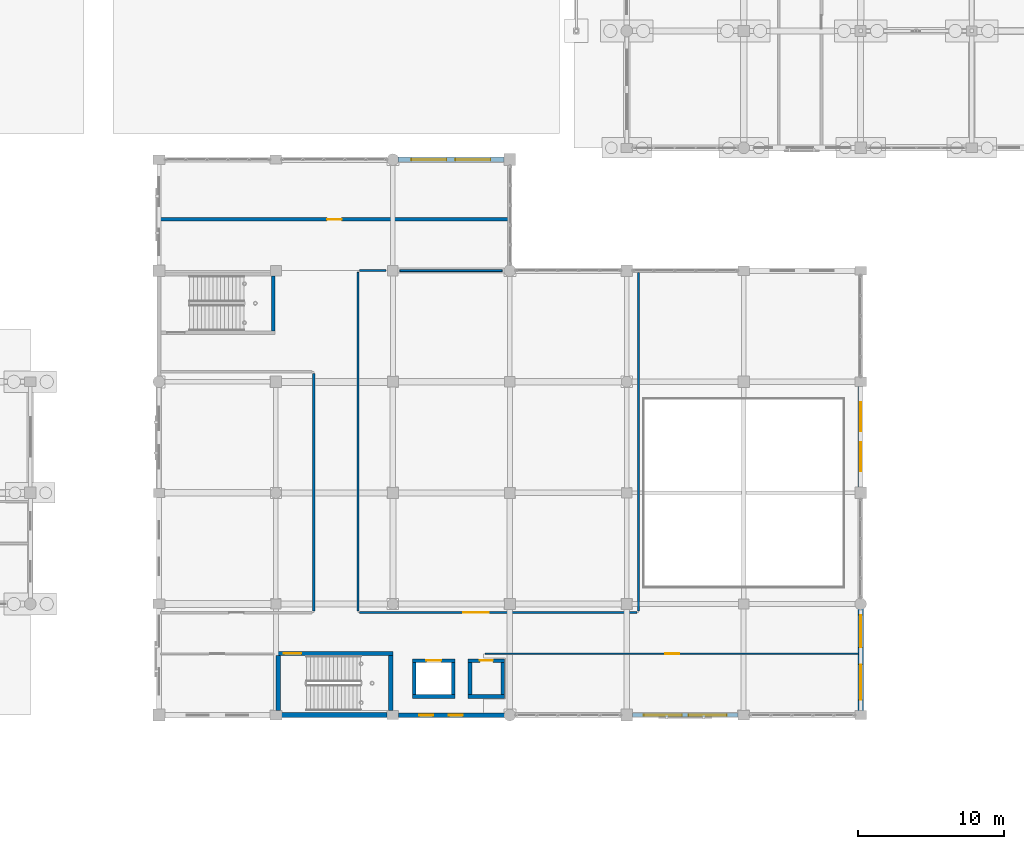
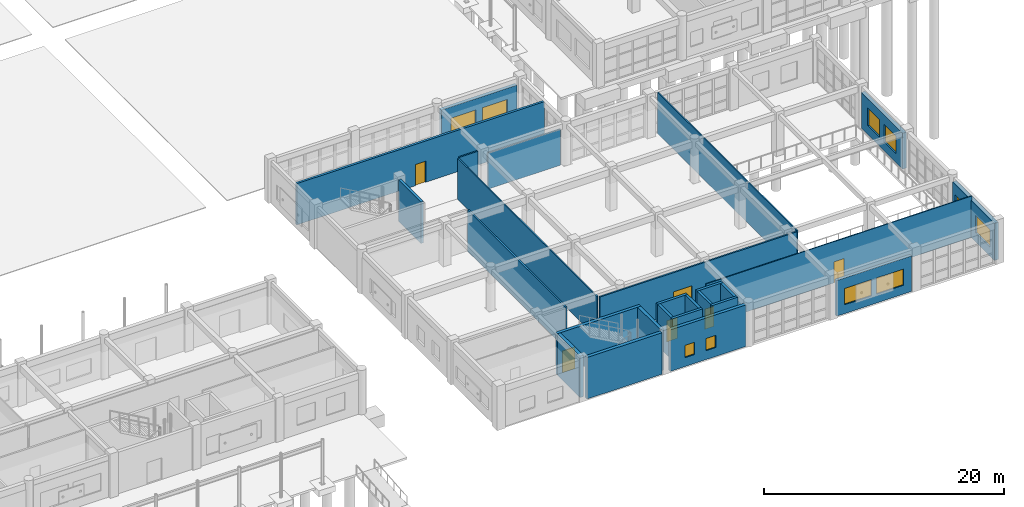
# One storey, part 138 of 166: 26 walls, 10 windows, 6 doors, 16 openings.
"""IFC4 building model written with IfcOpenShell, lengths in metres."""

from ifc_helpers import new_model, si_unit, direction, frame, frame_2d, origin, place, context, subcontext, project, spatial, rectangle, extrude, material, layer, layer_set, type_object, element, fill, save


model = new_model("IFC4")

# Units and contexts
model_context = context("Model", 3, precision=1e-05, world=origin(), true_north=direction((0.0, 1.0)))
body_context = subcontext(model_context, "Body", "Model", "MODEL_VIEW")
ifc_project = project(units=[si_unit("LENGTHUNIT", "METRE"), si_unit("AREAUNIT", "SQUARE_METRE"), si_unit("VOLUMEUNIT", "CUBIC_METRE"), si_unit("PLANEANGLEUNIT", "RADIAN"), si_unit("MASSUNIT", "GRAM", prefix="KILO")], contexts=[model_context])

# Site, building, storey
site_placement = place(None, origin())
site = spatial("IfcSite", under=ifc_project, at=site_placement, CompositionType="ELEMENT")
building_placement = place(site_placement, origin())
building = spatial("IfcBuilding", under=site, at=building_placement, Name="Kharva Crest Polytechnic", CompositionType="ELEMENT")
storey_placement = place(building_placement, origin())
storey = spatial("IfcBuildingStorey", under=building, at=storey_placement, Name="L00", CompositionType="ELEMENT", Elevation=0.0)

# Wall, opening, door
ifc_material_1 = material(Name="Concrete C40/50", Category="concrete")
ifc_layer_1 = layer(ifc_material_1, 0.300048828125, Name="Concrete C40/50")
ifc_layer_set_1 = layer_set([ifc_layer_1], Name="Concrete C40/50")
wall_type_1 = type_object("IfcWallType", Name="WL-CORE-CW2-300", PredefinedType="SHEAR", material=ifc_layer_set_1)
wall_1_placement = place(storey_placement, frame((128.800048828125, 4.2099609375, 0.0), z_axis=(0.0, 0.0, 1.0), x_axis=(1.0, 0.0, 0.0)))
wall_1 = element("IfcWall", 1, at=wall_1_placement, inside=storey, type_object=wall_type_1, Name="L00 South-East Refectory Escarpment Core C6 North Shear Wall", PredefinedType="SHEAR", context=body_context, shape_type="SweptSolid", body=[
    extrude(rectangle(XDim=8.0, YDim=0.300048828125, at=frame_2d((4.0, 0.0))), origin(), (0.0, 0.0, 1.0), 4.219970703125),
])
opening_1_placement = place(wall_1_placement, frame((0.550048828125, 0.0, 0.0)))
opening_1 = element("IfcOpeningElement", 2, at=opening_1_placement, cuts=wall_1, Name="Opening FD1", PredefinedType="OPENING", context=body_context, shape_type="SweptSolid", body=[
    extrude(rectangle(XDim=1.199951171875, YDim=2.199951171875, at=frame_2d((0.60009765625, 1.10009765625))), frame((0.0, 0.159912109375, 0.0), z_axis=(0.0, -1.0, 0.0), x_axis=(1.0, 0.0, 0.0)), (0.0, 0.0, 1.0), 0.320068359375),
])
ifc_material_2 = material(Name="Teak timber", Category="wood")
door_type_1 = type_object("IfcDoorType", Name="DR-STAIR-1200X2200", OperationType="NOTDEFINED", PredefinedType="DOOR", material=ifc_material_2)
door_1_placement = place(opening_1_placement, origin())
door_1 = element("IfcDoor", 3, at=door_1_placement, inside=storey, type_object=door_type_1, Name="L00 ST-06 Stair Door", OperationType="SINGLE_SWING_LEFT", OverallHeight=2.199951171875, OverallWidth=1.199951171875, PredefinedType="DOOR", context=body_context, shape_type="SweptSolid", body=[
    extrude(rectangle(XDim=1.199951171875, YDim=2.199951171875, at=frame_2d((0.60009765625, 1.10009765625))), frame((0.0, 0.02490234375, 0.0), z_axis=(0.0, -1.0, 0.0), x_axis=(1.0, 0.0, 0.0)), (0.0, 0.0, 1.0), 0.050048828125),
])
fill(opening_1, door_1)

# Walls
for number, where, z_axis, x_axis, name in (
    (4, (128.949951171875, 0.300048828125, 0.0), (0.0, 0.0, 1.0), (0.0, 1.0, 0.0), "L00 South-East Refectory Escarpment Core C6 West Shear Wall"),
    (5, (136.64990234375, 0.300048828125, 0.0), (0.0, 0.0, 1.0), (0.0, 1.0, 0.0), "L00 South-East Refectory Escarpment Core C6 East Shear Wall"),
):
    element("IfcWall", number, at=place(storey_placement, frame(where, z_axis=z_axis, x_axis=x_axis)), inside=storey, type_object=wall_type_1, Name=name, PredefinedType="SHEAR", context=body_context, shape_type="SweptSolid", body=[
        extrude(rectangle(XDim=3.760009765625, YDim=0.300048828125, at=frame_2d((1.8798828125, 0.0))), origin(), (0.0, 0.0, 1.0), 4.219970703125),
    ])

# Wall, openings, windows
ifc_material_3 = material(Name="Kiln brick masonry", Category="masonry")
ifc_layer_2 = layer(ifc_material_3, 0.27490234375, Name="Kiln brick masonry")
ifc_layer_set_2 = layer_set([ifc_layer_2], Name="Kiln brick masonry")
wall_type_2 = type_object("IfcWallType", Name="WL-EXT-BRK-275", PredefinedType="SOLIDWALL", material=ifc_layer_set_2)
wall_2_placement = place(storey_placement, frame((153.195068359375, 0.0, 0.0), z_axis=(0.0, 0.0, 1.0), x_axis=(1.0, 0.0, 0.0)))
wall_2 = element("IfcWall", 6, at=wall_2_placement, inside=storey, type_object=wall_type_2, Name="L00 Exterior Brick Wall 55", PredefinedType="SOLIDWALL", context=body_context, shape_type="SweptSolid", body=[
    extrude(rectangle(XDim=7.2099609375, YDim=0.27490234375, at=frame_2d((3.60498046875, 0.0))), origin(), (0.0, 0.0, 1.0), 3.6201171875),
])
opening_2_placement = place(wall_2_placement, frame((0.777099609375, 0.0, 0.89990234375)))
opening_2 = element("IfcOpeningElement", 7, at=opening_2_placement, cuts=wall_2, Name="Opening W24", PredefinedType="OPENING", context=body_context, shape_type="SweptSolid", body=[
    extrude(rectangle(XDim=2.60009765625, YDim=1.64990234375, at=frame_2d((1.300048828125, 0.824951171875))), frame((0.0, 0.1474609375, 0.0), z_axis=(0.0, -1.0, 0.0), x_axis=(1.0, 0.0, 0.0)), (0.0, 0.0, 1.0), 0.294921875),
])
opening_3_placement = place(wall_2_placement, frame((3.8330078125, 0.0, 0.89990234375)))
opening_3 = element("IfcOpeningElement", 8, at=opening_3_placement, cuts=wall_2, Name="Opening W24", PredefinedType="OPENING", context=body_context, shape_type="SweptSolid", body=[
    extrude(rectangle(XDim=2.60009765625, YDim=1.64990234375, at=frame_2d((1.300048828125, 0.824951171875))), frame((0.0, 0.1474609375, 0.0), z_axis=(0.0, -1.0, 0.0), x_axis=(1.0, 0.0, 0.0)), (0.0, 0.0, 1.0), 0.294921875),
])
ifc_material_4 = material(Name="Anodised aluminium", Category="aluminium")
window_type_1 = type_object("IfcWindowType", Name="WIN-ALU-2600X1650", PartitioningType="SINGLE_PANEL", PredefinedType="WINDOW", material=ifc_material_4)
window_1_placement = place(opening_2_placement, origin())
window_1 = element("IfcWindow", 9, at=window_1_placement, inside=storey, type_object=window_type_1, Name="L00 Exterior Window 71", OverallHeight=1.64990234375, OverallWidth=2.60009765625, PartitioningType="SINGLE_PANEL", PredefinedType="WINDOW", context=body_context, shape_type="SweptSolid", body=[
    extrude(rectangle(XDim=2.60009765625, YDim=1.64990234375, at=frame_2d((1.300048828125, 0.824951171875))), frame((0.0, 0.030029296875, 0.0), z_axis=(0.0, -1.0, 0.0), x_axis=(1.0, 0.0, 0.0)), (0.0, 0.0, 1.0), 0.06005859375),
])
fill(opening_2, window_1)
window_2_placement = place(opening_3_placement, origin())
window_2 = element("IfcWindow", 10, at=window_2_placement, inside=storey, type_object=window_type_1, Name="L00 Exterior Window 72", OverallHeight=1.64990234375, OverallWidth=2.60009765625, PartitioningType="SINGLE_PANEL", PredefinedType="WINDOW", context=body_context, shape_type="SweptSolid", body=[
    extrude(rectangle(XDim=2.60009765625, YDim=1.64990234375, at=frame_2d((1.300048828125, 0.824951171875))), frame((0.0, 0.030029296875, 0.0), z_axis=(0.0, -1.0, 0.0), x_axis=(1.0, 0.0, 0.0)), (0.0, 0.0, 1.0), 0.06005859375),
])
fill(opening_3, window_2)

ifc_layer_3 = layer(ifc_material_3, 0.304931640625, Name="Kiln brick masonry")
ifc_layer_set_3 = layer_set([ifc_layer_3], Name="Kiln brick masonry")
wall_type_3 = type_object("IfcWallType", Name="WL-EXT-BRK-305", PredefinedType="SOLIDWALL", material=ifc_layer_set_3)
wall_3_placement = place(storey_placement, frame((137.18505859375, 0.0, 0.0), z_axis=(0.0, 0.0, 1.0), x_axis=(1.0, 0.0, 0.0)))
wall_3 = element("IfcWall", 11, at=wall_3_placement, inside=storey, type_object=wall_type_3, Name="L00 Exterior Brick Wall 54", PredefinedType="SOLIDWALL", context=body_context, shape_type="SweptSolid", body=[
    extrude(rectangle(XDim=7.279052734375, YDim=0.304931640625, at=frame_2d((3.6396484375, 0.0))), origin(), (0.0, 0.0, 1.0), 4.219970703125),
])
opening_4_placement = place(wall_3_placement, frame((1.412109375, 0.0, 0.89990234375)))
opening_4 = element("IfcOpeningElement", 12, at=opening_4_placement, cuts=wall_3, Name="Opening W22", PredefinedType="OPENING", context=body_context, shape_type="SweptSolid", body=[
    extrude(rectangle(XDim=0.949951171875, YDim=1.25, at=frame_2d((0.47509765625, 0.625))), frame((0.0, 0.162353515625, 0.0), z_axis=(0.0, -1.0, 0.0), x_axis=(1.0, 0.0, 0.0)), (0.0, 0.0, 1.0), 0.324951171875),
])
opening_5_placement = place(wall_3_placement, frame((3.452880859375, 0.0, 0.89990234375)))
opening_5 = element("IfcOpeningElement", 13, at=opening_5_placement, cuts=wall_3, Name="Opening W22", PredefinedType="OPENING", context=body_context, shape_type="SweptSolid", body=[
    extrude(rectangle(XDim=0.949951171875, YDim=1.25, at=frame_2d((0.47509765625, 0.625))), frame((0.0, 0.162353515625, 0.0), z_axis=(0.0, -1.0, 0.0), x_axis=(1.0, 0.0, 0.0)), (0.0, 0.0, 1.0), 0.324951171875),
])
window_type_2 = type_object("IfcWindowType", Name="WIN-ALU-950X1250", PartitioningType="SINGLE_PANEL", PredefinedType="WINDOW", material=ifc_material_4)
window_3_placement = place(opening_4_placement, origin())
window_3 = element("IfcWindow", 14, at=window_3_placement, inside=storey, type_object=window_type_2, Name="L00 Exterior Window 69", OverallHeight=1.25, OverallWidth=0.949951171875, PartitioningType="SINGLE_PANEL", PredefinedType="WINDOW", context=body_context, shape_type="SweptSolid", body=[
    extrude(rectangle(XDim=0.949951171875, YDim=1.25, at=frame_2d((0.47509765625, 0.625))), frame((0.0, 0.030029296875, 0.0), z_axis=(0.0, -1.0, 0.0), x_axis=(1.0, 0.0, 0.0)), (0.0, 0.0, 1.0), 0.06005859375),
])
fill(opening_4, window_3)
window_4_placement = place(opening_5_placement, origin())
window_4 = element("IfcWindow", 15, at=window_4_placement, inside=storey, type_object=window_type_2, Name="L00 Exterior Window 70", OverallHeight=1.25, OverallWidth=0.949951171875, PartitioningType="SINGLE_PANEL", PredefinedType="WINDOW", context=body_context, shape_type="SweptSolid", body=[
    extrude(rectangle(XDim=0.949951171875, YDim=1.25, at=frame_2d((0.47509765625, 0.625))), frame((0.0, 0.030029296875, 0.0), z_axis=(0.0, -1.0, 0.0), x_axis=(1.0, 0.0, 0.0)), (0.0, 0.0, 1.0), 0.06005859375),
])
fill(opening_5, window_4)

ifc_layer_4 = layer(ifc_material_3, 0.320068359375, Name="Kiln brick masonry")
ifc_layer_set_4 = layer_set([ifc_layer_4], Name="Kiln brick masonry")
wall_type_4 = type_object("IfcWallType", Name="WL-EXT-BRK-320", PredefinedType="SOLIDWALL", material=ifc_layer_set_4)
wall_4_placement = place(storey_placement, frame((144.405029296875, 38.0, 0.0), z_axis=(0.0, 0.0, 1.0), x_axis=(-1.0, 0.0, 0.0)))
wall_4 = element("IfcWall", 16, at=wall_4_placement, inside=storey, type_object=wall_type_4, Name="L00 Exterior Brick Wall 46", PredefinedType="SOLIDWALL", context=body_context, shape_type="SweptSolid", body=[
    extrude(rectangle(XDim=7.26904296875, YDim=0.320068359375, at=frame_2d((3.634521484375, 0.0))), origin(), (0.0, 0.0, 1.0), 3.5400390625),
])
opening_6_placement = place(wall_4_placement, frame((0.929931640625, 0.0, 0.89990234375)))
opening_6 = element("IfcOpeningElement", 17, at=opening_6_placement, cuts=wall_4, Name="Opening W10", PredefinedType="OPENING", context=body_context, shape_type="SweptSolid", body=[
    extrude(rectangle(XDim=2.39990234375, YDim=1.5, at=frame_2d((1.199951171875, 0.75))), frame((0.0, 0.169921875, 0.0), z_axis=(0.0, -1.0, 0.0), x_axis=(1.0, 0.0, 0.0)), (0.0, 0.0, 1.0), 0.340087890625),
])
opening_7_placement = place(wall_4_placement, frame((3.93896484375, 0.0, 0.89990234375)))
opening_7 = element("IfcOpeningElement", 18, at=opening_7_placement, cuts=wall_4, Name="Opening W10", PredefinedType="OPENING", context=body_context, shape_type="SweptSolid", body=[
    extrude(rectangle(XDim=2.39990234375, YDim=1.5, at=frame_2d((1.199951171875, 0.75))), frame((0.0, 0.169921875, 0.0), z_axis=(0.0, -1.0, 0.0), x_axis=(1.0, 0.0, 0.0)), (0.0, 0.0, 1.0), 0.340087890625),
])
window_type_3 = type_object("IfcWindowType", Name="WIN-ALU-2400X1500", PartitioningType="SINGLE_PANEL", PredefinedType="WINDOW", material=ifc_material_4)
window_5_placement = place(opening_6_placement, origin())
window_5 = element("IfcWindow", 19, at=window_5_placement, inside=storey, type_object=window_type_3, Name="L00 Exterior Window 57", OverallHeight=1.5, OverallWidth=2.39990234375, PartitioningType="SINGLE_PANEL", PredefinedType="WINDOW", context=body_context, shape_type="SweptSolid", body=[
    extrude(rectangle(XDim=2.39990234375, YDim=1.5, at=frame_2d((1.199951171875, 0.75))), frame((0.0, 0.030029296875, 0.0), z_axis=(0.0, -1.0, 0.0), x_axis=(1.0, 0.0, 0.0)), (0.0, 0.0, 1.0), 0.06005859375),
])
fill(opening_6, window_5)
window_6_placement = place(opening_7_placement, origin())
window_6 = element("IfcWindow", 20, at=window_6_placement, inside=storey, type_object=window_type_3, Name="L00 Exterior Window 58", OverallHeight=1.5, OverallWidth=2.39990234375, PartitioningType="SINGLE_PANEL", PredefinedType="WINDOW", context=body_context, shape_type="SweptSolid", body=[
    extrude(rectangle(XDim=2.39990234375, YDim=1.5, at=frame_2d((1.199951171875, 0.75))), frame((0.0, 0.030029296875, 0.0), z_axis=(0.0, -1.0, 0.0), x_axis=(1.0, 0.0, 0.0)), (0.0, 0.0, 1.0), 0.06005859375),
])
fill(opening_7, window_6)

# Wall
wall_5_placement = place(storey_placement, frame((129.195068359375, 0.0, 0.0), z_axis=(0.0, 0.0, 1.0), x_axis=(1.0, 0.0, 0.0)))
element("IfcWall", 21, at=wall_5_placement, inside=storey, type_object=wall_type_4, Name="L00 Exterior Brick Wall 53", PredefinedType="SOLIDWALL", context=body_context, shape_type="SweptSolid", body=[
    extrude(rectangle(XDim=7.219970703125, YDim=0.320068359375, at=frame_2d((3.60986328125, 0.0))), origin(), (0.0, 0.0, 1.0), 4.219970703125),
])

# Wall, openings, windows
ifc_layer_5 = layer(ifc_material_3, 0.35009765625, Name="Kiln brick masonry")
ifc_layer_set_5 = layer_set([ifc_layer_5], Name="Kiln brick masonry")
wall_type_5 = type_object("IfcWallType", Name="WL-EXT-BRK-350", PredefinedType="SOLIDWALL", material=ifc_layer_set_5)
wall_6_placement = place(storey_placement, frame((168.800048828125, 15.594970703125, 0.0), z_axis=(0.0, 0.0, 1.0), x_axis=(0.0, 1.0, 0.0)))
wall_6 = element("IfcWall", 22, at=wall_6_placement, inside=storey, type_object=wall_type_5, Name="L00 Exterior Brick Wall 57", PredefinedType="SOLIDWALL", context=body_context, shape_type="SweptSolid", body=[
    extrude(rectangle(XDim=6.885009765625, YDim=0.35009765625, at=frame_2d((3.4423828125, 0.0))), origin(), (0.0, 0.0, 1.0), 3.639892578125),
])
opening_8_placement = place(wall_6_placement, frame((1.068115234375, 0.0, 0.89990234375)))
opening_8 = element("IfcOpeningElement", 23, at=opening_8_placement, cuts=wall_6, Name="Opening W04", PredefinedType="OPENING", context=body_context, shape_type="SweptSolid", body=[
    extrude(rectangle(XDim=2.0, YDim=1.800048828125, at=frame_2d((1.0, 0.89990234375))), frame((0.0, 0.18505859375, 0.0), z_axis=(0.0, -1.0, 0.0), x_axis=(1.0, 0.0, 0.0)), (0.0, 0.0, 1.0), 0.3701171875),
])
opening_9_placement = place(wall_6_placement, frame((3.81689453125, 0.0, 0.89990234375)))
opening_9 = element("IfcOpeningElement", 24, at=opening_9_placement, cuts=wall_6, Name="Opening W04", PredefinedType="OPENING", context=body_context, shape_type="SweptSolid", body=[
    extrude(rectangle(XDim=2.0, YDim=1.800048828125, at=frame_2d((1.0, 0.89990234375))), frame((0.0, 0.18505859375, 0.0), z_axis=(0.0, -1.0, 0.0), x_axis=(1.0, 0.0, 0.0)), (0.0, 0.0, 1.0), 0.3701171875),
])
window_type_4 = type_object("IfcWindowType", Name="WIN-ALU-2000X1800", PartitioningType="SINGLE_PANEL", PredefinedType="WINDOW", material=ifc_material_4)
window_7_placement = place(opening_8_placement, origin())
window_7 = element("IfcWindow", 25, at=window_7_placement, inside=storey, type_object=window_type_4, Name="L00 Exterior Window 75", OverallHeight=1.800048828125, OverallWidth=2.0, PartitioningType="SINGLE_PANEL", PredefinedType="WINDOW", context=body_context, shape_type="SweptSolid", body=[
    extrude(rectangle(XDim=2.0, YDim=1.800048828125, at=frame_2d((1.0, 0.89990234375))), frame((0.0, 0.030029296875, 0.0), z_axis=(0.0, -1.0, 0.0), x_axis=(1.0, 0.0, 0.0)), (0.0, 0.0, 1.0), 0.06005859375),
])
fill(opening_8, window_7)
window_8_placement = place(opening_9_placement, origin())
window_8 = element("IfcWindow", 26, at=window_8_placement, inside=storey, type_object=window_type_4, Name="L00 Exterior Window 76", OverallHeight=1.800048828125, OverallWidth=2.0, PartitioningType="SINGLE_PANEL", PredefinedType="WINDOW", context=body_context, shape_type="SweptSolid", body=[
    extrude(rectangle(XDim=2.0, YDim=1.800048828125, at=frame_2d((1.0, 0.89990234375))), frame((0.0, 0.030029296875, 0.0), z_axis=(0.0, -1.0, 0.0), x_axis=(1.0, 0.0, 0.0)), (0.0, 0.0, 1.0), 0.06005859375),
])
fill(opening_9, window_8)

ifc_layer_6 = layer(ifc_material_3, 0.3798828125, Name="Kiln brick masonry")
ifc_layer_set_6 = layer_set([ifc_layer_6], Name="Kiln brick masonry")
wall_type_6 = type_object("IfcWallType", Name="WL-EXT-BRK-380", PredefinedType="SOLIDWALL", material=ifc_layer_set_6)
wall_7_placement = place(storey_placement, frame((168.800048828125, 0.294921875, 0.0), z_axis=(0.0, 0.0, 1.0), x_axis=(0.0, 1.0, 0.0)))
wall_7 = element("IfcWall", 27, at=wall_7_placement, inside=storey, type_object=wall_type_6, Name="L00 Exterior Brick Wall 56", PredefinedType="SOLIDWALL", context=body_context, shape_type="SweptSolid", body=[
    extrude(rectangle(XDim=6.968994140625, YDim=0.3798828125, at=frame_2d((3.484375, 0.0))), origin(), (0.0, 0.0, 1.0), 3.780029296875),
])
opening_10_placement = place(wall_7_placement, frame((0.7529296875, 0.0, 0.89990234375)))
opening_10 = element("IfcOpeningElement", 28, at=opening_10_placement, cuts=wall_7, Name="Opening W02", PredefinedType="OPENING", context=body_context, shape_type="SweptSolid", body=[
    extrude(rectangle(XDim=2.39990234375, YDim=1.800048828125, at=frame_2d((1.199951171875, 0.89990234375))), frame((0.0, 0.199951171875, 0.0), z_axis=(0.0, -1.0, 0.0), x_axis=(1.0, 0.0, 0.0)), (0.0, 0.0, 1.0), 0.39990234375),
])
opening_11_placement = place(wall_7_placement, frame((4.3369140625, 0.0, 0.89990234375)))
opening_11 = element("IfcOpeningElement", 29, at=opening_11_placement, cuts=wall_7, Name="Opening W03", PredefinedType="OPENING", context=body_context, shape_type="SweptSolid", body=[
    extrude(rectangle(XDim=2.199951171875, YDim=1.800048828125, at=frame_2d((1.10009765625, 0.89990234375))), frame((0.0, 0.199951171875, 0.0), z_axis=(0.0, -1.0, 0.0), x_axis=(1.0, 0.0, 0.0)), (0.0, 0.0, 1.0), 0.39990234375),
])
window_type_5 = type_object("IfcWindowType", Name="WIN-ALU-2200X1800", PartitioningType="SINGLE_PANEL", PredefinedType="WINDOW", material=ifc_material_4)
window_9_placement = place(opening_11_placement, origin())
window_9 = element("IfcWindow", 30, at=window_9_placement, inside=storey, type_object=window_type_5, Name="L00 Exterior Window 74", OverallHeight=1.800048828125, OverallWidth=2.199951171875, PartitioningType="SINGLE_PANEL", PredefinedType="WINDOW", context=body_context, shape_type="SweptSolid", body=[
    extrude(rectangle(XDim=2.199951171875, YDim=1.800048828125, at=frame_2d((1.10009765625, 0.89990234375))), frame((0.0, 0.030029296875, 0.0), z_axis=(0.0, -1.0, 0.0), x_axis=(1.0, 0.0, 0.0)), (0.0, 0.0, 1.0), 0.06005859375),
])
fill(opening_11, window_9)
window_type_6 = type_object("IfcWindowType", Name="WIN-ALU-2400X1800", PartitioningType="SINGLE_PANEL", PredefinedType="WINDOW", material=ifc_material_4)
window_10_placement = place(opening_10_placement, origin())
window_10 = element("IfcWindow", 31, at=window_10_placement, inside=storey, type_object=window_type_6, Name="L00 Exterior Window 73", OverallHeight=1.800048828125, OverallWidth=2.39990234375, PartitioningType="SINGLE_PANEL", PredefinedType="WINDOW", context=body_context, shape_type="SweptSolid", body=[
    extrude(rectangle(XDim=2.39990234375, YDim=1.800048828125, at=frame_2d((1.199951171875, 0.89990234375))), frame((0.0, 0.030029296875, 0.0), z_axis=(0.0, -1.0, 0.0), x_axis=(1.0, 0.0, 0.0)), (0.0, 0.0, 1.0), 0.06005859375),
])
fill(opening_10, window_10)

# Wall, opening, door
ifc_layer_7 = layer(ifc_material_3, 0.090087890625, Name="Kiln brick masonry")
ifc_layer_set_7 = layer_set([ifc_layer_7], Name="Kiln brick masonry")
wall_type_7 = type_object("IfcWallType", Name="WL-PART-090", PredefinedType="PARTITIONING", material=ifc_layer_set_7)
wall_8_placement = place(storey_placement, frame((143.110107421875, 4.199951171875, 0.0), z_axis=(0.0, 0.0, 1.0), x_axis=(1.0, 0.0, 0.0)))
wall_8 = element("IfcWall", 32, at=wall_8_placement, inside=storey, type_object=wall_type_7, Name="L00 Interior Partition 79", PredefinedType="PARTITIONING", context=body_context, shape_type="SweptSolid", body=[
    extrude(rectangle(XDim=25.579833984375, YDim=0.090087890625, at=frame_2d((12.7900390625, 0.0))), origin(), (0.0, 0.0, 1.0), 4.199951171875),
])
opening_12_placement = place(wall_8_placement, frame((12.31005859375, 0.0, 0.0)))
opening_12 = element("IfcOpeningElement", 33, at=opening_12_placement, cuts=wall_8, Name="Opening ID13", PredefinedType="OPENING", context=body_context, shape_type="SweptSolid", body=[
    extrude(rectangle(XDim=0.9599609375, YDim=2.14990234375, at=frame_2d((0.47998046875, 1.074951171875))), frame((0.0, 0.054931640625, 0.0), z_axis=(0.0, -1.0, 0.0), x_axis=(1.0, 0.0, 0.0)), (0.0, 0.0, 1.0), 0.110107421875),
])
door_type_2 = type_object("IfcDoorType", Name="DR-OFF-960X2150", OperationType="NOTDEFINED", PredefinedType="DOOR", material=ifc_material_2)
door_2_placement = place(opening_12_placement, origin())
door_2 = element("IfcDoor", 34, at=door_2_placement, inside=storey, type_object=door_type_2, Name="L00 Refectory Terrace Dining Door", OperationType="SINGLE_SWING_LEFT", OverallHeight=2.14990234375, OverallWidth=0.9599609375, PredefinedType="DOOR", context=body_context, shape_type="SweptSolid", body=[
    extrude(rectangle(XDim=0.9599609375, YDim=2.14990234375, at=frame_2d((0.47998046875, 1.074951171875))), frame((0.0, 0.02490234375, 0.0), z_axis=(0.0, -1.0, 0.0), x_axis=(1.0, 0.0, 0.0)), (0.0, 0.0, 1.0), 0.050048828125),
])
fill(opening_12, door_2)

# Walls
ifc_layer_8 = layer(ifc_material_3, 0.110107421875, Name="Kiln brick masonry")
ifc_layer_set_8 = layer_set([ifc_layer_8], Name="Kiln brick masonry")
wall_type_8 = type_object("IfcWallType", Name="WL-PART-110", PredefinedType="PARTITIONING", material=ifc_layer_set_8)
wall_9_placement = place(storey_placement, frame((153.60009765625, 7.1201171875, 0.0), z_axis=(0.0, 0.0, 1.0), x_axis=(0.0, 1.0, 0.0)))
element("IfcWall", 35, at=wall_9_placement, inside=storey, type_object=wall_type_8, Name="L00 Interior Partition 87", PredefinedType="PARTITIONING", context=body_context, shape_type="SweptSolid", body=[
    extrude(rectangle(XDim=23.169921875, YDim=0.110107421875, at=frame_2d((11.5849609375, 0.0))), origin(), (0.0, 0.0, 1.0), 4.199951171875),
])
ifc_layer_9 = layer(ifc_material_3, 0.1201171875, Name="Kiln brick masonry")
ifc_layer_set_9 = layer_set([ifc_layer_9], Name="Kiln brick masonry")
wall_type_9 = type_object("IfcWallType", Name="WL-PART-120", PredefinedType="PARTITIONING", material=ifc_layer_set_9)
wall_10_placement = place(storey_placement, frame((134.409912109375, 7.1201171875, 0.0), z_axis=(0.0, 0.0, 1.0), x_axis=(0.0, 1.0, 0.0)))
element("IfcWall", 36, at=wall_10_placement, inside=storey, type_object=wall_type_9, Name="L00 Interior Partition 86", PredefinedType="PARTITIONING", context=body_context, shape_type="SweptSolid", body=[
    extrude(rectangle(XDim=23.169921875, YDim=0.1201171875, at=frame_2d((11.5849609375, 0.0))), origin(), (0.0, 0.0, 1.0), 4.199951171875),
])
ifc_layer_10 = layer(ifc_material_3, 0.1298828125, Name="Kiln brick masonry")
ifc_layer_set_10 = layer_set([ifc_layer_10], Name="Kiln brick masonry")
wall_type_10 = type_object("IfcWallType", Name="WL-PART-130", PredefinedType="PARTITIONING", material=ifc_layer_set_10)
wall_11_placement = place(storey_placement, frame((137.280029296875, 30.39990234375, 0.0), z_axis=(0.0, 0.0, 1.0), x_axis=(1.0, 0.0, 0.0)))
element("IfcWall", 37, at=wall_11_placement, inside=storey, type_object=wall_type_10, Name="L00 Interior Partition 85", PredefinedType="PARTITIONING", context=body_context, shape_type="SweptSolid", body=[
    extrude(rectangle(XDim=6.989990234375, YDim=0.1298828125, at=frame_2d((3.4951171875, 0.0))), origin(), (0.0, 0.0, 1.0), 3.669921875),
])
ifc_layer_11 = layer(ifc_material_3, 0.139892578125, Name="Kiln brick masonry")
ifc_layer_set_11 = layer_set([ifc_layer_11], Name="Kiln brick masonry")
wall_type_11 = type_object("IfcWallType", Name="WL-PART-140", PredefinedType="PARTITIONING", material=ifc_layer_set_11)
wall_12_placement = place(storey_placement, frame((134.52001953125, 30.39990234375, 0.0), z_axis=(0.0, 0.0, 1.0), x_axis=(1.0, 0.0, 0.0)))
element("IfcWall", 38, at=wall_12_placement, inside=storey, type_object=wall_type_11, Name="L00 Interior Partition 84", PredefinedType="PARTITIONING", context=body_context, shape_type="SweptSolid", body=[
    extrude(rectangle(XDim=1.800048828125, YDim=0.139892578125, at=frame_2d((0.89990234375, 0.0))), origin(), (0.0, 0.0, 1.0), 4.199951171875),
])

# Wall, opening, door
ifc_layer_12 = layer(ifc_material_3, 0.14990234375, Name="Kiln brick masonry")
ifc_layer_set_12 = layer_set([ifc_layer_12], Name="Kiln brick masonry")
wall_type_12 = type_object("IfcWallType", Name="WL-PART-150", PredefinedType="PARTITIONING", material=ifc_layer_set_12)
wall_13_placement = place(storey_placement, frame((134.52001953125, 7.010009765625, 0.0), z_axis=(0.0, 0.0, 1.0), x_axis=(1.0, 0.0, 0.0)))
wall_13 = element("IfcWall", 39, at=wall_13_placement, inside=storey, type_object=wall_type_12, Name="L00 Interior Partition 83", PredefinedType="PARTITIONING", context=body_context, shape_type="SweptSolid", body=[
    extrude(rectangle(XDim=18.969970703125, YDim=0.14990234375, at=frame_2d((9.48486328125, 0.0))), origin(), (0.0, 0.0, 1.0), 4.199951171875),
])
opening_13_placement = place(wall_13_placement, frame((7.092041015625, 0.0, 0.0)))
opening_13 = element("IfcOpeningElement", 40, at=opening_13_placement, cuts=wall_13, Name="Opening ID5", PredefinedType="OPENING", context=body_context, shape_type="SweptSolid", body=[
    extrude(rectangle(XDim=1.75, YDim=2.25, at=frame_2d((0.875, 1.125))), frame((0.0, 0.0849609375, 0.0), z_axis=(0.0, -1.0, 0.0), x_axis=(1.0, 0.0, 0.0)), (0.0, 0.0, 1.0), 0.169921875),
])
door_type_3 = type_object("IfcDoorType", Name="DR-LIB-DBL-1750X2250", OperationType="NOTDEFINED", PredefinedType="DOOR", material=ifc_material_2)
door_3_placement = place(opening_13_placement, origin())
door_3 = element("IfcDoor", 41, at=door_3_placement, inside=storey, type_object=door_type_3, Name="L00 Student Union Commons Door", OperationType="DOUBLE_DOOR_SINGLE_SWING", OverallHeight=2.25, OverallWidth=1.75, PredefinedType="DOOR", context=body_context, shape_type="SweptSolid", body=[
    extrude(rectangle(XDim=1.75, YDim=2.25, at=frame_2d((0.875, 1.125))), frame((0.0, 0.02490234375, 0.0), z_axis=(0.0, -1.0, 0.0), x_axis=(1.0, 0.0, 0.0)), (0.0, 0.0, 1.0), 0.050048828125),
])
fill(opening_13, door_3)

# Wall
ifc_layer_13 = layer(ifc_material_3, 0.159912109375, Name="Kiln brick masonry")
ifc_layer_set_13 = layer_set([ifc_layer_13], Name="Kiln brick masonry")
wall_type_13 = type_object("IfcWallType", Name="WL-PART-160", PredefinedType="PARTITIONING", material=ifc_layer_set_13)
wall_14_placement = place(storey_placement, frame((131.389892578125, 7.1201171875, 0.0), z_axis=(0.0, 0.0, 1.0), x_axis=(0.0, 1.0, 0.0)))
element("IfcWall", 42, at=wall_14_placement, inside=storey, type_object=wall_type_13, Name="L00 Interior Partition 82", PredefinedType="PARTITIONING", context=body_context, shape_type="SweptSolid", body=[
    extrude(rectangle(XDim=16.259765625, YDim=0.159912109375, at=frame_2d((8.1298828125, 0.0))), origin(), (0.0, 0.0, 1.0), 4.199951171875),
])

# Wall, opening, door
ifc_layer_14 = layer(ifc_material_3, 0.22509765625, Name="Kiln brick masonry")
ifc_layer_set_14 = layer_set([ifc_layer_14], Name="Kiln brick masonry")
wall_type_14 = type_object("IfcWallType", Name="WL-PART-225", PredefinedType="PARTITIONING", material=ifc_layer_set_14)
wall_15_placement = place(storey_placement, frame((120.909912109375, 33.909912109375, 0.0), z_axis=(0.0, 0.0, 1.0), x_axis=(1.0, 0.0, 0.0)))
wall_15 = element("IfcWall", 43, at=wall_15_placement, inside=storey, type_object=wall_type_14, Name="L00 Interior Partition 88", PredefinedType="PARTITIONING", context=body_context, shape_type="SweptSolid", body=[
    extrude(rectangle(XDim=23.780029296875, YDim=0.22509765625, at=frame_2d((11.89013671875, 0.0))), origin(), (0.0, 0.0, 1.0), 4.199951171875),
])
opening_14_placement = place(wall_15_placement, frame((11.389892578125, 0.0, 0.0)))
opening_14 = element("IfcOpeningElement", 44, at=opening_14_placement, cuts=wall_15, Name="Opening ID12", PredefinedType="OPENING", context=body_context, shape_type="SweptSolid", body=[
    extrude(rectangle(XDim=1.0, YDim=2.14990234375, at=frame_2d((0.5, 1.074951171875))), frame((0.0, 0.12255859375, 0.0), z_axis=(0.0, -1.0, 0.0), x_axis=(1.0, 0.0, 0.0)), (0.0, 0.0, 1.0), 0.2451171875),
])
door_type_4 = type_object("IfcDoorType", Name="DR-OFF-1000X2150", OperationType="NOTDEFINED", PredefinedType="DOOR", material=ifc_material_2)
door_4_placement = place(opening_14_placement, origin())
door_4 = element("IfcDoor", 45, at=door_4_placement, inside=storey, type_object=door_type_4, Name="L00 Servery Counter and Beverage Kitchen Door", OperationType="SINGLE_SWING_LEFT", OverallHeight=2.14990234375, OverallWidth=1.0, PredefinedType="DOOR", context=body_context, shape_type="SweptSolid", body=[
    extrude(rectangle(XDim=1.0, YDim=2.14990234375, at=frame_2d((0.5, 1.074951171875))), frame((0.0, 0.02490234375, 0.0), z_axis=(0.0, -1.0, 0.0), x_axis=(1.0, 0.0, 0.0)), (0.0, 0.0, 1.0), 0.050048828125),
])
fill(opening_14, door_4)

# Wall
ifc_layer_15 = layer(ifc_material_1, 0.25, Name="Concrete C40/50")
ifc_layer_set_15 = layer_set([ifc_layer_15], Name="Concrete C40/50")
wall_type_15 = type_object("IfcWallType", Name="WL-SHEAR-SW1-250", PredefinedType="SHEAR", material=ifc_layer_set_15)
wall_16_placement = place(storey_placement, frame((138.14990234375, 1.27490234375, 0.0), z_axis=(0.0, 0.0, 1.0), x_axis=(1.0, 0.0, 0.0)))
element("IfcWall", 46, at=wall_16_placement, inside=storey, type_object=wall_type_15, Name="L00 Lift PL4 South Shaft Wall", PredefinedType="SHEAR", context=body_context, shape_type="SweptSolid", body=[
    extrude(rectangle(XDim=2.900146484375, YDim=0.25, at=frame_2d((1.4501953125, 0.0))), origin(), (0.0, 0.0, 1.0), 4.219970703125),
])

# Wall, opening, door
wall_17_placement = place(storey_placement, frame((138.14990234375, 3.72509765625, 0.0), z_axis=(0.0, 0.0, 1.0), x_axis=(1.0, 0.0, 0.0)))
wall_17 = element("IfcWall", 47, at=wall_17_placement, inside=storey, type_object=wall_type_15, Name="L00 Lift PL4 North Shaft Wall", PredefinedType="SHEAR", context=body_context, shape_type="SweptSolid", body=[
    extrude(rectangle(XDim=2.900146484375, YDim=0.25, at=frame_2d((1.4501953125, 0.0))), origin(), (0.0, 0.0, 1.0), 4.219970703125),
])
opening_15_placement = place(wall_17_placement, frame((0.949951171875, 0.0, 0.0)))
opening_15 = element("IfcOpeningElement", 48, at=opening_15_placement, cuts=wall_17, Name="Opening LD2", PredefinedType="OPENING", context=body_context, shape_type="SweptSolid", body=[
    extrude(rectangle(XDim=1.0, YDim=2.14990234375, at=frame_2d((0.5, 1.074951171875))), frame((0.0, 0.135009765625, 0.0), z_axis=(0.0, -1.0, 0.0), x_axis=(1.0, 0.0, 0.0)), (0.0, 0.0, 1.0), 0.27001953125),
])
door_type_5 = type_object("IfcDoorType", Name="DR-LIFT-LD2-1000X2150", OperationType="SLIDING_TO_LEFT", PredefinedType="DOOR", material=ifc_material_4)
door_5_placement = place(opening_15_placement, origin())
door_5 = element("IfcDoor", 49, at=door_5_placement, inside=storey, type_object=door_type_5, Name="L00 Lift PL4 Sliding Landing Door", OperationType="SLIDING_TO_LEFT", OverallHeight=2.14990234375, OverallWidth=1.0, PredefinedType="DOOR", context=body_context, shape_type="SweptSolid", body=[
    extrude(rectangle(XDim=1.0, YDim=2.14990234375, at=frame_2d((0.5, 1.074951171875))), frame((0.0, 0.02490234375, 0.0), z_axis=(0.0, -1.0, 0.0), x_axis=(1.0, 0.0, 0.0)), (0.0, 0.0, 1.0), 0.050048828125),
])
fill(opening_15, door_5)

# Walls
for number, where, z_axis, x_axis, name in (
    (50, (138.27490234375, 1.39990234375, 0.0), (0.0, 0.0, 1.0), (0.0, 1.0, 0.0), "L00 Lift PL4 West Shaft Wall"),
    (51, (140.925048828125, 1.39990234375, 0.0), (0.0, 0.0, 1.0), (0.0, 1.0, 0.0), "L00 Lift PL4 East Shaft Wall"),
):
    element("IfcWall", number, at=place(storey_placement, frame(where, z_axis=z_axis, x_axis=x_axis)), inside=storey, type_object=wall_type_15, Name=name, PredefinedType="SHEAR", context=body_context, shape_type="SweptSolid", body=[
        extrude(rectangle(XDim=2.2001953125, YDim=0.25, at=frame_2d((1.10009765625, 0.0))), origin(), (0.0, 0.0, 1.0), 4.219970703125),
    ])
wall_18_placement = place(storey_placement, frame((141.949951171875, 1.27490234375, 0.0), z_axis=(0.0, 0.0, 1.0), x_axis=(1.0, 0.0, 0.0)))
element("IfcWall", 52, at=wall_18_placement, inside=storey, type_object=wall_type_15, Name="L00 Core C6 Riser South Wall", PredefinedType="SHEAR", context=body_context, shape_type="SweptSolid", body=[
    extrude(rectangle(XDim=2.5, YDim=0.25, at=frame_2d((1.25, 0.0))), origin(), (0.0, 0.0, 1.0), 4.219970703125),
])

# Wall, opening, door
wall_19_placement = place(storey_placement, frame((141.949951171875, 3.72509765625, 0.0), z_axis=(0.0, 0.0, 1.0), x_axis=(1.0, 0.0, 0.0)))
wall_19 = element("IfcWall", 53, at=wall_19_placement, inside=storey, type_object=wall_type_15, Name="L00 Core C6 Riser North Wall", PredefinedType="SHEAR", context=body_context, shape_type="SweptSolid", body=[
    extrude(rectangle(XDim=2.5, YDim=0.25, at=frame_2d((1.25, 0.0))), origin(), (0.0, 0.0, 1.0), 4.219970703125),
])
opening_16_placement = place(wall_19_placement, frame((0.800048828125, 0.0, 0.0)))
opening_16 = element("IfcOpeningElement", 54, at=opening_16_placement, cuts=wall_19, Name="Opening FD3", PredefinedType="OPENING", context=body_context, shape_type="SweptSolid", body=[
    extrude(rectangle(XDim=0.89990234375, YDim=2.050048828125, at=frame_2d((0.449951171875, 1.02490234375))), frame((0.0, 0.135009765625, 0.0), z_axis=(0.0, -1.0, 0.0), x_axis=(1.0, 0.0, 0.0)), (0.0, 0.0, 1.0), 0.27001953125),
])
door_type_6 = type_object("IfcDoorType", Name="DR-RISER-900X2050", OperationType="NOTDEFINED", PredefinedType="DOOR", material=ifc_material_4)
door_6_placement = place(opening_16_placement, origin())
door_6 = element("IfcDoor", 55, at=door_6_placement, inside=storey, type_object=door_type_6, Name="L00 Core C6 Riser Access Door", OperationType="SINGLE_SWING_RIGHT", OverallHeight=2.050048828125, OverallWidth=0.89990234375, PredefinedType="DOOR", context=body_context, shape_type="SweptSolid", body=[
    extrude(rectangle(XDim=0.89990234375, YDim=2.050048828125, at=frame_2d((0.449951171875, 1.02490234375))), frame((0.0, 0.02490234375, 0.0), z_axis=(0.0, -1.0, 0.0), x_axis=(1.0, 0.0, 0.0)), (0.0, 0.0, 1.0), 0.050048828125),
])
fill(opening_16, door_6)

# Walls
for number, where, z_axis, x_axis, name in (
    (56, (142.074951171875, 1.39990234375, 0.0), (0.0, 0.0, 1.0), (0.0, 1.0, 0.0), "L00 Core C6 Riser West Wall"),
    (57, (144.324951171875, 1.39990234375, 0.0), (0.0, 0.0, 1.0), (0.0, 1.0, 0.0), "L00 Core C6 Riser East Wall"),
):
    element("IfcWall", number, at=place(storey_placement, frame(where, z_axis=z_axis, x_axis=x_axis)), inside=storey, type_object=wall_type_15, Name=name, PredefinedType="SHEAR", context=body_context, shape_type="SweptSolid", body=[
        extrude(rectangle(XDim=2.2001953125, YDim=0.25, at=frame_2d((1.10009765625, 0.0))), origin(), (0.0, 0.0, 1.0), 4.219970703125),
    ])
wall_20_placement = place(storey_placement, frame((128.625, 26.2900390625, 0.0), z_axis=(0.0, 0.0, 1.0), x_axis=(0.0, 1.0, 0.0)))
element("IfcWall", 58, at=wall_20_placement, inside=storey, type_object=wall_type_15, Name="L00 South-East Escarpment Secondary Stair C7 East Shear Wall", PredefinedType="SHEAR", context=body_context, shape_type="SweptSolid", body=[
    extrude(rectangle(XDim=3.760009765625, YDim=0.25, at=frame_2d((1.8798828125, 0.0))), origin(), (0.0, 0.0, 1.0), 4.219970703125),
])

save(model, "model.ifc")
